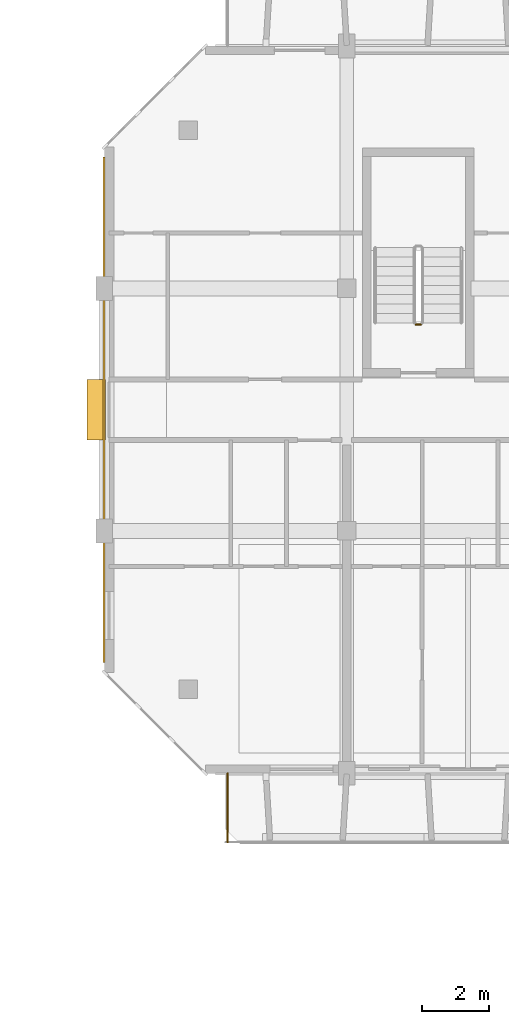
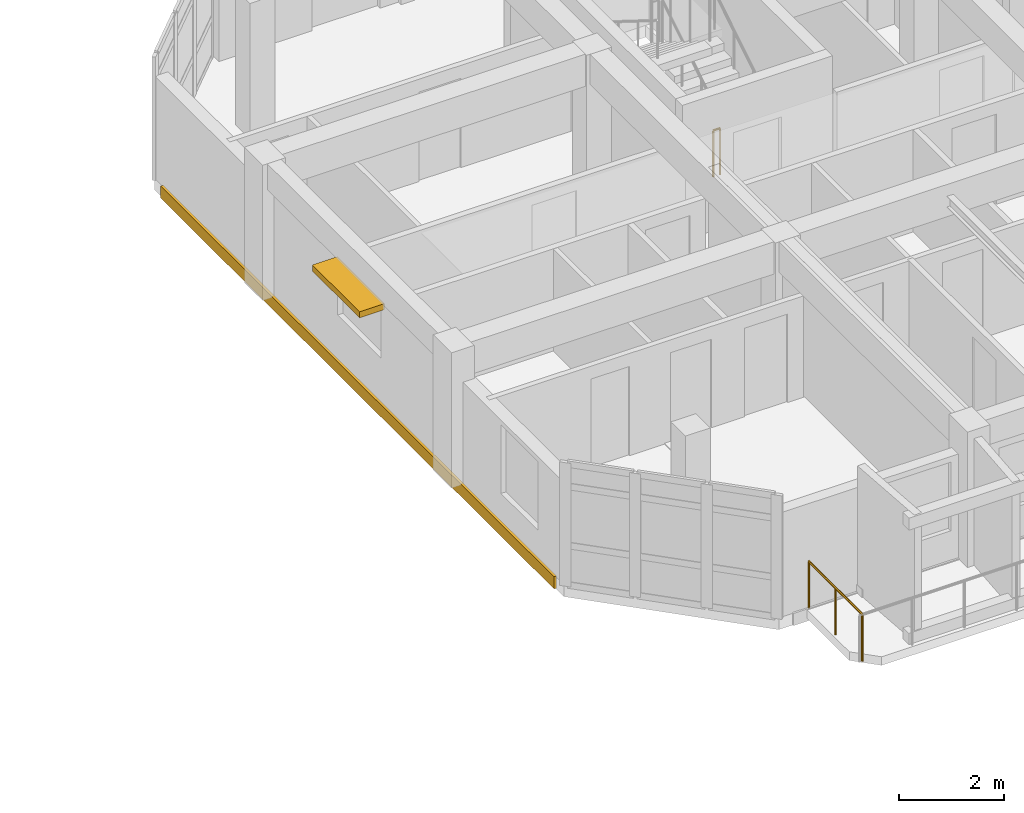
# One storey, part 59 of 64: 2 railings, 1 covering, 1 shading device.
"""IFC4 building model written with IfcOpenShell, lengths in metres."""

from ifc_helpers import new_model, si_unit, direction, frame, origin, origin_2d, place, context, subcontext, project, spatial, rectangle, circle, extrude, material, layer, layer_set, type_object, element, save


model = new_model("IFC4")

# Units and contexts
model_context = context("Model", 3, precision=1e-05, world=origin(), true_north=direction((0.0, 1.0)))
body_context = subcontext(model_context, "Body", "Model", "MODEL_VIEW")
ifc_project = project(units=[si_unit("LENGTHUNIT", "METRE"), si_unit("AREAUNIT", "SQUARE_METRE"), si_unit("VOLUMEUNIT", "CUBIC_METRE"), si_unit("PLANEANGLEUNIT", "RADIAN"), si_unit("MASSUNIT", "GRAM", prefix="KILO")], contexts=[model_context])

# Site, building, storey
site_placement = place(None, origin())
site = spatial("IfcSite", under=ifc_project, at=site_placement, CompositionType="ELEMENT")
building_placement = place(site_placement, origin())
building = spatial("IfcBuilding", under=site, at=building_placement, Name="Ochrevale Crest", CompositionType="ELEMENT")
storey_placement = place(building_placement, frame((0.0, 0.0, 8.699951171875)))
storey = spatial("IfcBuildingStorey", under=building, at=storey_placement, Name="L02", CompositionType="ELEMENT", Elevation=8.699951171875)

# Covering
ifc_material_1 = material(Name="Glazed terracotta rainscreen tile", Category="masonry")
ifc_layer = layer(ifc_material_1, 0.048095703125)
ifc_layer_set = layer_set([ifc_layer], Name="Glazed terracotta rainscreen tile")
covering_type = type_object("IfcCoveringType", Name="COV-CLAD-TER", PredefinedType="CLADDING", material=ifc_layer_set)
covering_placement = place(storey_placement, frame((129.58544921875, 25.199951171875, -0.259765625), z_axis=(0.0, 0.0, 1.0), x_axis=(0.0, -1.0, 0.0)))
element("IfcCovering", 1, at=covering_placement, inside=storey, type_object=covering_type, Name="Block C L02 terracotta slab-edge spandrel cladding", PredefinedType="CLADDING", context=body_context, shape_type="SweptSolid", body=[
    extrude(rectangle(XDim=15.0, YDim=0.06005859375, at=origin_2d()), origin(), (0.0, 0.0, 1.0), 0.280029296875),
])

# Railings
ifc_material_2 = material(Name="Galvanised steel", Category="steel")
railing_type_1 = type_object("IfcRailingType", Name="RL-BAL-1100", PredefinedType="BALUSTRADE", material=ifc_material_2)
railing_1_placement = place(storey_placement, frame((133.260009765625, 14.39990234375, 0.0)))
element("IfcRailing", 2, at=railing_1_placement, inside=storey, type_object=railing_type_1, Name="Block C L02 S-W balcony side guard", PredefinedType="BALUSTRADE", context=body_context, shape_type="SweptSolid", body=[
    extrude(circle(Radius=0.02392578125, at=origin_2d()), frame((0.0, 0.0, 1.0859375), z_axis=(0.0, -1.0, 0.0), x_axis=(1.0, 0.0, 0.0)), (0.0, 0.0, 1.0), 2.039794921875),
    extrude(circle(Radius=0.02099609375, at=origin_2d()), origin(), (0.0, 0.0, 1.0), 1.06201171875),
    extrude(circle(Radius=0.02099609375, at=origin_2d()), frame((0.0, -1.02001953125, 0.0)), (0.0, 0.0, 1.0), 1.06201171875),
    extrude(circle(Radius=0.02099609375, at=origin_2d()), frame((0.0, -2.039794921875, 0.0)), (0.0, 0.0, 1.0), 1.06201171875),
])
railing_type_2 = type_object("IfcRailingType", Name="RL-ST-GUARD", PredefinedType="BALUSTRADE", material=ifc_material_2)
railing_2_placement = place(storey_placement, frame((139.0, 27.72509765625, 0.0)))
element("IfcRailing", 3, at=railing_2_placement, inside=storey, type_object=railing_type_2, Name="L02 ST-C1 stair guard 4", PredefinedType="BALUSTRADE", context=body_context, shape_type="SweptSolid", body=[
    extrude(circle(Radius=0.02392578125, at=origin_2d()), frame((0.0, 0.0, 1.076171875), z_axis=(-1.0, 0.0, 0.0), x_axis=(0.0, -1.0, 0.0)), (0.0, 0.0, 1.0), 0.14990234375),
    extrude(circle(Radius=0.02099609375, at=origin_2d()), origin(), (0.0, 0.0, 1.0), 1.052001953125),
    extrude(circle(Radius=0.02099609375, at=origin_2d()), frame((-0.14990234375, 0.0, 0.0)), (0.0, 0.0, 1.0), 1.052001953125),
])

# Shading device
ifc_material_3 = material(Name="Anodised aluminium 6063-T5", Category="aluminium")
shading_device_type = type_object("IfcShadingDeviceType", Name="SHD-SUNSHADE-OC", PredefinedType="USERDEFINED", material=ifc_material_3)
shading_device_placement = place(storey_placement, frame((129.360107421875, 25.199951171875, 2.2099609375), z_axis=(0.0, 0.0, 1.0), x_axis=(1.0, 0.0, 0.0)))
element("IfcShadingDevice", 4, at=shading_device_placement, inside=storey, type_object=shading_device_type, Name="Block C L02 gable window sunshade W", ObjectType="HORIZONTAL SUNSHADE", PredefinedType="USERDEFINED", context=body_context, shape_type="SweptSolid", body=[
    extrude(rectangle(XDim=0.550048828125, YDim=1.800048828125, at=origin_2d()), origin(), (0.0, 0.0, 1.0), 0.139892578125),
])

save(model, "model.ifc")
